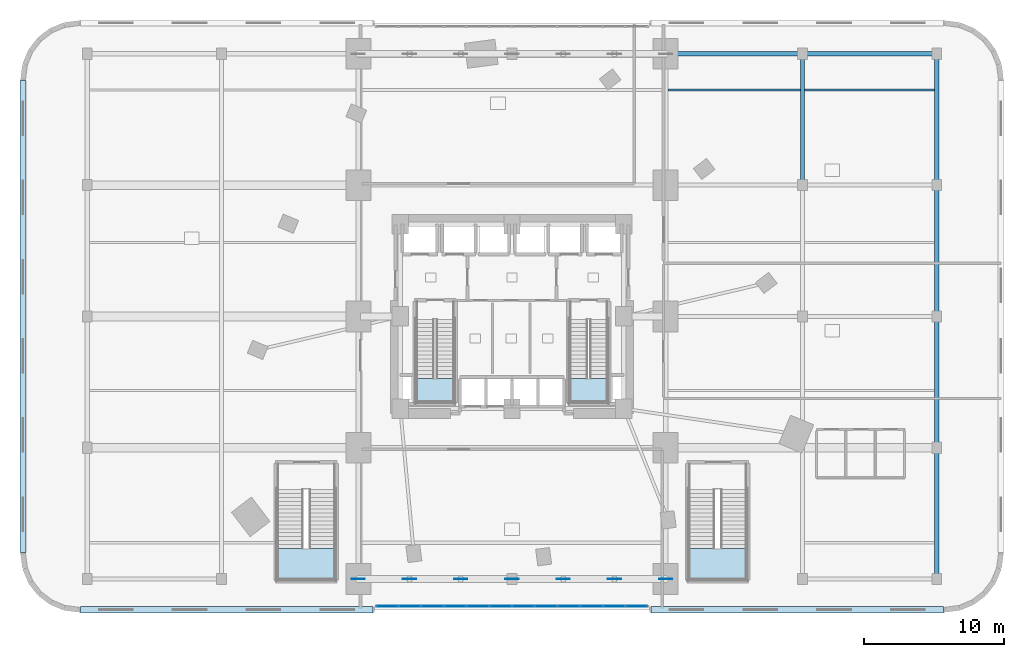
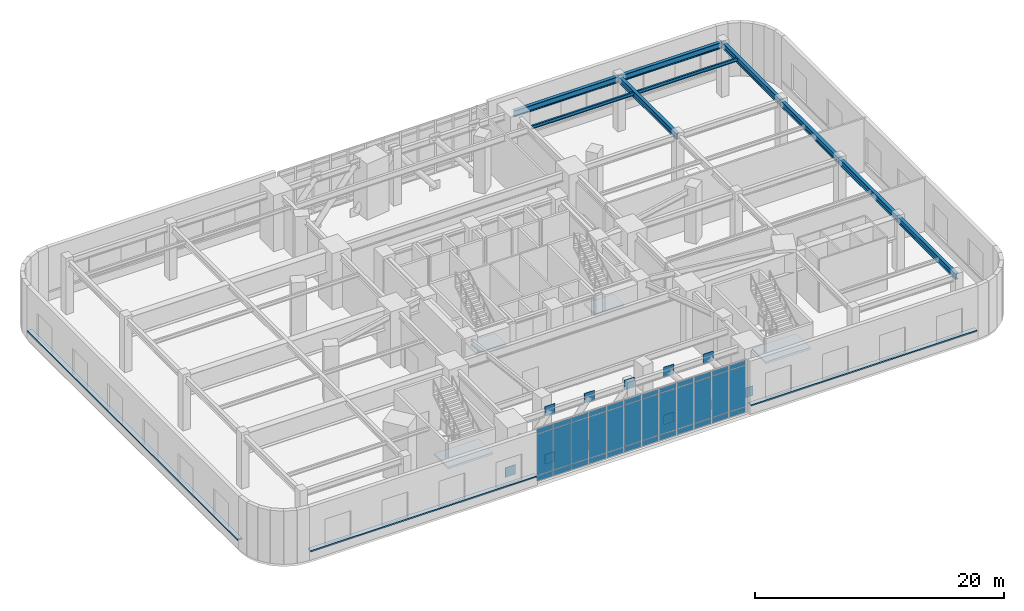
# One storey, part 11 of 19: 50 plates, 9 beams, 4 slabs, 5 elements without a shape of their own.
"""IFC4 building model written with IfcOpenShell, lengths in metres."""

from ifc_helpers import new_model, si_unit, direction, frame, origin, origin_2d, place, context, subcontext, project, spatial, polyline, rectangle, i_section, outline, extrude, material, layer, layer_set, material_profile, profile_set, type_object, element, aggregate, save


model = new_model("IFC4")

# Units and contexts
model_context = context("Model", 3, precision=1e-05, world=origin(), true_north=direction((0.0, 1.0)))
body_context = subcontext(model_context, "Body", "Model", "MODEL_VIEW")
ifc_project = project(units=[si_unit("LENGTHUNIT", "METRE"), si_unit("AREAUNIT", "SQUARE_METRE"), si_unit("VOLUMEUNIT", "CUBIC_METRE"), si_unit("PLANEANGLEUNIT", "RADIAN"), si_unit("MASSUNIT", "GRAM", prefix="KILO")], contexts=[model_context])

# Site, building, storey
site_placement = place(None, origin())
site = spatial("IfcSite", under=ifc_project, at=site_placement, CompositionType="ELEMENT")
building_placement = place(site_placement, origin())
building = spatial("IfcBuilding", under=site, at=building_placement, Name="Ndelora Gate Hotel", CompositionType="ELEMENT")
storey_placement = place(building_placement, frame((0.0, 0.0, 16.0)))
storey = spatial("IfcBuildingStorey", under=building, at=storey_placement, Name="L03", CompositionType="ELEMENT", Elevation=16.0)

# Beams
ifc_material_1 = material(Name="Steel S355", Category="steel")
ifc_material_profile_1 = material_profile(ifc_material_1, i_section(OverallWidth=0.159912109375, OverallDepth=0.330078125, WebThickness=0.007568359375, FlangeThickness=0.011474609375, FilletRadius=0.01806640625, at=origin_2d()), Name="IPE 330")
ifc_profile_set_1 = profile_set([ifc_material_profile_1], Name="Steel S355")
beam_type_1 = type_object("IfcBeamType", Name="BM-JST-330", PredefinedType="JOIST", material=ifc_profile_set_1)
beam_1_placement = place(storey_placement, frame((11.14990234375, 16.199951171875, 5.054931640625), z_axis=(1.0, 0.0, 0.0), x_axis=(0.0, 1.0, 0.0)))
element("IfcBeam", 1, at=beam_1_placement, inside=storey, type_object=beam_type_1, Name="L03 Podium Composite Secondary Joist 4", PredefinedType="JOIST", context=body_context, shape_type="SweptSolid", body=[
    extrude(i_section(OverallWidth=0.159912109375, OverallDepth=0.330078125, WebThickness=0.007568359375, FlangeThickness=0.011474609375, FilletRadius=0.01806640625, at=origin_2d()), origin(), (0.0, 0.0, 1.0), 9.5),
])
beam_2_placement = place(storey_placement, frame((20.949951171875, 16.199951171875, 5.054931640625), z_axis=(1.0, 0.0, 0.0), x_axis=(0.0, 1.0, 0.0)))
element("IfcBeam", 2, at=beam_2_placement, inside=storey, type_object=beam_type_1, Name="L03 Podium Composite Secondary Joist 5", PredefinedType="JOIST", context=body_context, shape_type="SweptSolid", body=[
    extrude(i_section(OverallWidth=0.159912109375, OverallDepth=0.330078125, WebThickness=0.007568359375, FlangeThickness=0.011474609375, FilletRadius=0.01806640625, at=origin_2d()), origin(), (0.0, 0.0, 1.0), 9.300048828125),
])
ifc_material_profile_2 = material_profile(ifc_material_1, i_section(OverallWidth=0.300048828125, OverallDepth=0.60009765625, WebThickness=0.015380859375, FlangeThickness=0.030029296875, FilletRadius=0.027099609375, at=origin_2d()), Name="HEB 600")
ifc_profile_set_2 = profile_set([ifc_material_profile_2], Name="Steel S355")
beam_type_2 = type_object("IfcBeamType", Name="BM-POD-600", PredefinedType="BEAM", material=ifc_profile_set_2)
for number, where, z_axis, x_axis, name in (
    (3, (20.800048828125, 9.39990234375, 4.919921875), (0.0, 1.0, 0.0), (-1.0, 0.0, 0.0), "L03 Podium Longitudinal Girder X=+20.8"),
    (4, (30.39990234375, -18.800048828125, 4.919921875), (0.0, 1.0, 0.0), (-1.0, 0.0, 0.0), "L03 Podium Longitudinal Girder X=+30.4"),
):
    element("IfcBeam", number, at=place(storey_placement, frame(where, z_axis=z_axis, x_axis=x_axis)), inside=storey, type_object=beam_type_2, Name=name, PredefinedType="BEAM", context=body_context, shape_type="SweptSolid", body=[
        extrude(i_section(OverallWidth=0.300048828125, OverallDepth=0.60009765625, WebThickness=0.015380859375, FlangeThickness=0.030029296875, FilletRadius=0.027099609375, at=origin_2d()), origin(), (0.0, 0.0, 1.0), 9.400146484375),
    ])
for number, where, z_axis, x_axis, name in (
    (5, (30.39990234375, -9.39990234375, 4.919921875), (0.0, 1.0, 0.0), (-1.0, 0.0, 0.0), "L03 Podium Longitudinal Girder X=+30.4"),
    (6, (30.39990234375, 0.0, 4.919921875), (0.0, 1.0, 0.0), (-1.0, 0.0, 0.0), "L03 Podium Longitudinal Girder X=+30.4"),
):
    element("IfcBeam", number, at=place(storey_placement, frame(where, z_axis=z_axis, x_axis=x_axis)), inside=storey, type_object=beam_type_2, Name=name, PredefinedType="BEAM", context=body_context, shape_type="SweptSolid", body=[
        extrude(i_section(OverallWidth=0.300048828125, OverallDepth=0.60009765625, WebThickness=0.015380859375, FlangeThickness=0.030029296875, FilletRadius=0.027099609375, at=origin_2d()), origin(), (0.0, 0.0, 1.0), 9.39990234375),
    ])
beam_3_placement = place(storey_placement, frame((30.39990234375, 9.39990234375, 4.919921875), z_axis=(0.0, 1.0, 0.0), x_axis=(-1.0, 0.0, 0.0)))
element("IfcBeam", 7, at=beam_3_placement, inside=storey, type_object=beam_type_2, Name="L03 Podium Longitudinal Girder X=+30.4", PredefinedType="BEAM", context=body_context, shape_type="SweptSolid", body=[
    extrude(i_section(OverallWidth=0.300048828125, OverallDepth=0.60009765625, WebThickness=0.015380859375, FlangeThickness=0.030029296875, FilletRadius=0.027099609375, at=origin_2d()), origin(), (0.0, 0.0, 1.0), 9.400146484375),
])
beam_4_placement = place(storey_placement, frame((11.0, 18.800048828125, 4.919921875), z_axis=(1.0, 0.0, 0.0), x_axis=(0.0, 1.0, 0.0)))
element("IfcBeam", 8, at=beam_4_placement, inside=storey, type_object=beam_type_2, Name="L03 Podium Transverse Girder Y=+18.8", PredefinedType="BEAM", context=body_context, shape_type="SweptSolid", body=[
    extrude(i_section(OverallWidth=0.300048828125, OverallDepth=0.60009765625, WebThickness=0.015380859375, FlangeThickness=0.030029296875, FilletRadius=0.027099609375, at=origin_2d()), origin(), (0.0, 0.0, 1.0), 9.800048828125),
])
beam_5_placement = place(storey_placement, frame((20.800048828125, 18.800048828125, 4.919921875), z_axis=(1.0, 0.0, 0.0), x_axis=(0.0, 1.0, 0.0)))
element("IfcBeam", 9, at=beam_5_placement, inside=storey, type_object=beam_type_2, Name="L03 Podium Transverse Girder Y=+18.8", PredefinedType="BEAM", context=body_context, shape_type="SweptSolid", body=[
    extrude(i_section(OverallWidth=0.300048828125, OverallDepth=0.60009765625, WebThickness=0.015380859375, FlangeThickness=0.030029296875, FilletRadius=0.027099609375, at=origin_2d()), origin(), (0.0, 0.0, 1.0), 9.599853515625),
])

# Curtain wall, plates
ifc_material_2 = material(Name="Bronze Anodised Unitised Aluminium and Low-E Glass", Category="aluminium")
ifc_layer_1 = layer(ifc_material_2, 0.219970703125)
ifc_layer_set_1 = layer_set([ifc_layer_1], Name="Bronze Anodised Unitised Aluminium and Low-E Glass")
curtain_wall_type = type_object("IfcCurtainWallType", Name="CW-SYS-2", PredefinedType="NOTDEFINED", material=ifc_layer_set_1)
curtain_wall_placement = place(storey_placement, origin())
curtain_wall = element("IfcCurtainWall", 10, at=curtain_wall_placement, inside=storey, type_object=curtain_wall_type, Name="L03 South Podium Foyer Curtain Wall CW2", PredefinedType="NOTDEFINED")
ifc_material_3 = material(Name="Solar-Control Low-E Insulated Glazing", Category="glass")
ifc_layer_2 = layer(ifc_material_3, 0.048095703125)
ifc_layer_set_2 = layer_set([ifc_layer_2], Name="Solar-Control Low-E Insulated Glazing")
plate_type_1 = type_object("IfcPlateType", Name="PL-CW-GLZ36", PredefinedType="CURTAIN_PANEL", material=ifc_layer_set_2)
plate_1_placement = place(storey_placement, frame((-8.919921875, -20.75, 0.05908203125), z_axis=(0.0, 0.0, 1.0), x_axis=(1.0, 0.0, 0.0)))
plate_1 = element("IfcPlate", 11, at=plate_1_placement, type_object=plate_type_1, Name="CW2 panel 1.1", PredefinedType="CURTAIN_PANEL", context=body_context, shape_type="SweptSolid", body=[
    extrude(rectangle(XDim=1.531982421875, YDim=0.048095703125, at=origin_2d()), origin(), (0.0, 0.0, 1.0), 0.514404296875),
])
plate_2_placement = place(storey_placement, frame((-8.919921875, -20.75, 0.62646484375), z_axis=(0.0, 0.0, 1.0), x_axis=(1.0, 0.0, 0.0)))
plate_2 = element("IfcPlate", 12, at=plate_2_placement, type_object=plate_type_1, Name="CW2 panel 1.2", PredefinedType="CURTAIN_PANEL", context=body_context, shape_type="SweptSolid", body=[
    extrude(rectangle(XDim=1.531982421875, YDim=0.048095703125, at=origin_2d()), origin(), (0.0, 0.0, 1.0), 4.01708984375),
])
plate_3_placement = place(storey_placement, frame((-8.919921875, -20.75, 4.6962890625), z_axis=(0.0, 0.0, 1.0), x_axis=(1.0, 0.0, 0.0)))
plate_3 = element("IfcPlate", 13, at=plate_3_placement, type_object=plate_type_1, Name="CW2 panel 1.3", PredefinedType="CURTAIN_PANEL", context=body_context, shape_type="SweptSolid", body=[
    extrude(rectangle(XDim=1.531982421875, YDim=0.048095703125, at=origin_2d()), origin(), (0.0, 0.0, 1.0), 0.464599609375),
])
plate_4_placement = place(storey_placement, frame((-7.3125, -20.75, 0.05908203125), z_axis=(0.0, 0.0, 1.0), x_axis=(1.0, 0.0, 0.0)))
plate_4 = element("IfcPlate", 14, at=plate_4_placement, type_object=plate_type_1, Name="CW2 panel 2.1", PredefinedType="CURTAIN_PANEL", context=body_context, shape_type="SweptSolid", body=[
    extrude(rectangle(XDim=1.56689453125, YDim=0.048095703125, at=origin_2d()), origin(), (0.0, 0.0, 1.0), 0.514404296875),
])
plate_5_placement = place(storey_placement, frame((-7.3125, -20.75, 0.62646484375), z_axis=(0.0, 0.0, 1.0), x_axis=(1.0, 0.0, 0.0)))
plate_5 = element("IfcPlate", 15, at=plate_5_placement, type_object=plate_type_1, Name="CW2 panel 2.2", PredefinedType="CURTAIN_PANEL", context=body_context, shape_type="SweptSolid", body=[
    extrude(rectangle(XDim=1.56689453125, YDim=0.048095703125, at=origin_2d()), origin(), (0.0, 0.0, 1.0), 4.01708984375),
])
plate_6_placement = place(storey_placement, frame((-7.3125, -20.75, 4.6962890625), z_axis=(0.0, 0.0, 1.0), x_axis=(1.0, 0.0, 0.0)))
plate_6 = element("IfcPlate", 16, at=plate_6_placement, type_object=plate_type_1, Name="CW2 panel 2.3", PredefinedType="CURTAIN_PANEL", context=body_context, shape_type="SweptSolid", body=[
    extrude(rectangle(XDim=1.56689453125, YDim=0.048095703125, at=origin_2d()), origin(), (0.0, 0.0, 1.0), 0.464599609375),
])
plate_7_placement = place(storey_placement, frame((-5.6875, -20.75, 0.05908203125), z_axis=(0.0, 0.0, 1.0), x_axis=(1.0, 0.0, 0.0)))
plate_7 = element("IfcPlate", 17, at=plate_7_placement, type_object=plate_type_1, Name="CW2 panel 3.1", PredefinedType="CURTAIN_PANEL", context=body_context, shape_type="SweptSolid", body=[
    extrude(rectangle(XDim=1.56689453125, YDim=0.048095703125, at=origin_2d()), origin(), (0.0, 0.0, 1.0), 0.514404296875),
])
plate_8_placement = place(storey_placement, frame((-5.6875, -20.75, 0.62646484375), z_axis=(0.0, 0.0, 1.0), x_axis=(1.0, 0.0, 0.0)))
plate_8 = element("IfcPlate", 18, at=plate_8_placement, type_object=plate_type_1, Name="CW2 panel 3.2", PredefinedType="CURTAIN_PANEL", context=body_context, shape_type="SweptSolid", body=[
    extrude(rectangle(XDim=1.56689453125, YDim=0.048095703125, at=origin_2d()), origin(), (0.0, 0.0, 1.0), 4.01708984375),
])
plate_9_placement = place(storey_placement, frame((-5.6875, -20.75, 4.6962890625), z_axis=(0.0, 0.0, 1.0), x_axis=(1.0, 0.0, 0.0)))
plate_9 = element("IfcPlate", 19, at=plate_9_placement, type_object=plate_type_1, Name="CW2 panel 3.3", PredefinedType="CURTAIN_PANEL", context=body_context, shape_type="SweptSolid", body=[
    extrude(rectangle(XDim=1.56689453125, YDim=0.048095703125, at=origin_2d()), origin(), (0.0, 0.0, 1.0), 0.464599609375),
])
plate_10_placement = place(storey_placement, frame((-4.0625, -20.75, 0.05908203125), z_axis=(0.0, 0.0, 1.0), x_axis=(1.0, 0.0, 0.0)))
plate_10 = element("IfcPlate", 20, at=plate_10_placement, type_object=plate_type_1, Name="CW2 panel 4.1", PredefinedType="CURTAIN_PANEL", context=body_context, shape_type="SweptSolid", body=[
    extrude(rectangle(XDim=1.56689453125, YDim=0.048095703125, at=origin_2d()), origin(), (0.0, 0.0, 1.0), 0.514404296875),
])
plate_11_placement = place(storey_placement, frame((-4.0625, -20.75, 0.62646484375), z_axis=(0.0, 0.0, 1.0), x_axis=(1.0, 0.0, 0.0)))
plate_11 = element("IfcPlate", 21, at=plate_11_placement, type_object=plate_type_1, Name="CW2 panel 4.2", PredefinedType="CURTAIN_PANEL", context=body_context, shape_type="SweptSolid", body=[
    extrude(rectangle(XDim=1.56689453125, YDim=0.048095703125, at=origin_2d()), origin(), (0.0, 0.0, 1.0), 4.01708984375),
])
plate_12_placement = place(storey_placement, frame((-4.0625, -20.75, 4.6962890625), z_axis=(0.0, 0.0, 1.0), x_axis=(1.0, 0.0, 0.0)))
plate_12 = element("IfcPlate", 22, at=plate_12_placement, type_object=plate_type_1, Name="CW2 panel 4.3", PredefinedType="CURTAIN_PANEL", context=body_context, shape_type="SweptSolid", body=[
    extrude(rectangle(XDim=1.56689453125, YDim=0.048095703125, at=origin_2d()), origin(), (0.0, 0.0, 1.0), 0.464599609375),
])
plate_13_placement = place(storey_placement, frame((-2.4375, -20.75, 0.05908203125), z_axis=(0.0, 0.0, 1.0), x_axis=(1.0, 0.0, 0.0)))
plate_13 = element("IfcPlate", 23, at=plate_13_placement, type_object=plate_type_1, Name="CW2 panel 5.1", PredefinedType="CURTAIN_PANEL", context=body_context, shape_type="SweptSolid", body=[
    extrude(rectangle(XDim=1.56689453125, YDim=0.048095703125, at=origin_2d()), origin(), (0.0, 0.0, 1.0), 0.514404296875),
])
plate_14_placement = place(storey_placement, frame((-2.4375, -20.75, 0.62646484375), z_axis=(0.0, 0.0, 1.0), x_axis=(1.0, 0.0, 0.0)))
plate_14 = element("IfcPlate", 24, at=plate_14_placement, type_object=plate_type_1, Name="CW2 panel 5.2", PredefinedType="CURTAIN_PANEL", context=body_context, shape_type="SweptSolid", body=[
    extrude(rectangle(XDim=1.56689453125, YDim=0.048095703125, at=origin_2d()), origin(), (0.0, 0.0, 1.0), 4.01708984375),
])
plate_15_placement = place(storey_placement, frame((-2.4375, -20.75, 4.6962890625), z_axis=(0.0, 0.0, 1.0), x_axis=(1.0, 0.0, 0.0)))
plate_15 = element("IfcPlate", 25, at=plate_15_placement, type_object=plate_type_1, Name="CW2 panel 5.3", PredefinedType="CURTAIN_PANEL", context=body_context, shape_type="SweptSolid", body=[
    extrude(rectangle(XDim=1.56689453125, YDim=0.048095703125, at=origin_2d()), origin(), (0.0, 0.0, 1.0), 0.464599609375),
])
plate_16_placement = place(storey_placement, frame((-0.8125, -20.75, 0.05908203125), z_axis=(0.0, 0.0, 1.0), x_axis=(1.0, 0.0, 0.0)))
plate_16 = element("IfcPlate", 26, at=plate_16_placement, type_object=plate_type_1, Name="CW2 panel 6.1", PredefinedType="CURTAIN_PANEL", context=body_context, shape_type="SweptSolid", body=[
    extrude(rectangle(XDim=1.56689453125, YDim=0.048095703125, at=origin_2d()), origin(), (0.0, 0.0, 1.0), 0.514404296875),
])
plate_17_placement = place(storey_placement, frame((-0.8125, -20.75, 0.62646484375), z_axis=(0.0, 0.0, 1.0), x_axis=(1.0, 0.0, 0.0)))
plate_17 = element("IfcPlate", 27, at=plate_17_placement, type_object=plate_type_1, Name="CW2 panel 6.2", PredefinedType="CURTAIN_PANEL", context=body_context, shape_type="SweptSolid", body=[
    extrude(rectangle(XDim=1.56689453125, YDim=0.048095703125, at=origin_2d()), origin(), (0.0, 0.0, 1.0), 4.01708984375),
])
plate_18_placement = place(storey_placement, frame((-0.8125, -20.75, 4.6962890625), z_axis=(0.0, 0.0, 1.0), x_axis=(1.0, 0.0, 0.0)))
plate_18 = element("IfcPlate", 28, at=plate_18_placement, type_object=plate_type_1, Name="CW2 panel 6.3", PredefinedType="CURTAIN_PANEL", context=body_context, shape_type="SweptSolid", body=[
    extrude(rectangle(XDim=1.56689453125, YDim=0.048095703125, at=origin_2d()), origin(), (0.0, 0.0, 1.0), 0.464599609375),
])
plate_19_placement = place(storey_placement, frame((0.8125, -20.75, 0.05908203125), z_axis=(0.0, 0.0, 1.0), x_axis=(1.0, 0.0, 0.0)))
plate_19 = element("IfcPlate", 29, at=plate_19_placement, type_object=plate_type_1, Name="CW2 panel 7.1", PredefinedType="CURTAIN_PANEL", context=body_context, shape_type="SweptSolid", body=[
    extrude(rectangle(XDim=1.56689453125, YDim=0.048095703125, at=origin_2d()), origin(), (0.0, 0.0, 1.0), 0.514404296875),
])
plate_20_placement = place(storey_placement, frame((0.8125, -20.75, 0.62646484375), z_axis=(0.0, 0.0, 1.0), x_axis=(1.0, 0.0, 0.0)))
plate_20 = element("IfcPlate", 30, at=plate_20_placement, type_object=plate_type_1, Name="CW2 panel 7.2", PredefinedType="CURTAIN_PANEL", context=body_context, shape_type="SweptSolid", body=[
    extrude(rectangle(XDim=1.56689453125, YDim=0.048095703125, at=origin_2d()), origin(), (0.0, 0.0, 1.0), 4.01708984375),
])
plate_21_placement = place(storey_placement, frame((0.8125, -20.75, 4.6962890625), z_axis=(0.0, 0.0, 1.0), x_axis=(1.0, 0.0, 0.0)))
plate_21 = element("IfcPlate", 31, at=plate_21_placement, type_object=plate_type_1, Name="CW2 panel 7.3", PredefinedType="CURTAIN_PANEL", context=body_context, shape_type="SweptSolid", body=[
    extrude(rectangle(XDim=1.56689453125, YDim=0.048095703125, at=origin_2d()), origin(), (0.0, 0.0, 1.0), 0.464599609375),
])
plate_22_placement = place(storey_placement, frame((2.4375, -20.75, 0.05908203125), z_axis=(0.0, 0.0, 1.0), x_axis=(1.0, 0.0, 0.0)))
plate_22 = element("IfcPlate", 32, at=plate_22_placement, type_object=plate_type_1, Name="CW2 panel 8.1", PredefinedType="CURTAIN_PANEL", context=body_context, shape_type="SweptSolid", body=[
    extrude(rectangle(XDim=1.56689453125, YDim=0.048095703125, at=origin_2d()), origin(), (0.0, 0.0, 1.0), 0.514404296875),
])
plate_23_placement = place(storey_placement, frame((2.4375, -20.75, 0.62646484375), z_axis=(0.0, 0.0, 1.0), x_axis=(1.0, 0.0, 0.0)))
plate_23 = element("IfcPlate", 33, at=plate_23_placement, type_object=plate_type_1, Name="CW2 panel 8.2", PredefinedType="CURTAIN_PANEL", context=body_context, shape_type="SweptSolid", body=[
    extrude(rectangle(XDim=1.56689453125, YDim=0.048095703125, at=origin_2d()), origin(), (0.0, 0.0, 1.0), 4.01708984375),
])
plate_24_placement = place(storey_placement, frame((2.4375, -20.75, 4.6962890625), z_axis=(0.0, 0.0, 1.0), x_axis=(1.0, 0.0, 0.0)))
plate_24 = element("IfcPlate", 34, at=plate_24_placement, type_object=plate_type_1, Name="CW2 panel 8.3", PredefinedType="CURTAIN_PANEL", context=body_context, shape_type="SweptSolid", body=[
    extrude(rectangle(XDim=1.56689453125, YDim=0.048095703125, at=origin_2d()), origin(), (0.0, 0.0, 1.0), 0.464599609375),
])
plate_25_placement = place(storey_placement, frame((4.0625, -20.75, 0.05908203125), z_axis=(0.0, 0.0, 1.0), x_axis=(1.0, 0.0, 0.0)))
plate_25 = element("IfcPlate", 35, at=plate_25_placement, type_object=plate_type_1, Name="CW2 panel 9.1", PredefinedType="CURTAIN_PANEL", context=body_context, shape_type="SweptSolid", body=[
    extrude(rectangle(XDim=1.56689453125, YDim=0.048095703125, at=origin_2d()), origin(), (0.0, 0.0, 1.0), 0.514404296875),
])
plate_26_placement = place(storey_placement, frame((4.0625, -20.75, 0.62646484375), z_axis=(0.0, 0.0, 1.0), x_axis=(1.0, 0.0, 0.0)))
plate_26 = element("IfcPlate", 36, at=plate_26_placement, type_object=plate_type_1, Name="CW2 panel 9.2", PredefinedType="CURTAIN_PANEL", context=body_context, shape_type="SweptSolid", body=[
    extrude(rectangle(XDim=1.56689453125, YDim=0.048095703125, at=origin_2d()), origin(), (0.0, 0.0, 1.0), 4.01708984375),
])
plate_27_placement = place(storey_placement, frame((4.0625, -20.75, 4.6962890625), z_axis=(0.0, 0.0, 1.0), x_axis=(1.0, 0.0, 0.0)))
plate_27 = element("IfcPlate", 37, at=plate_27_placement, type_object=plate_type_1, Name="CW2 panel 9.3", PredefinedType="CURTAIN_PANEL", context=body_context, shape_type="SweptSolid", body=[
    extrude(rectangle(XDim=1.56689453125, YDim=0.048095703125, at=origin_2d()), origin(), (0.0, 0.0, 1.0), 0.464599609375),
])
plate_28_placement = place(storey_placement, frame((5.6875, -20.75, 0.05908203125), z_axis=(0.0, 0.0, 1.0), x_axis=(1.0, 0.0, 0.0)))
plate_28 = element("IfcPlate", 38, at=plate_28_placement, type_object=plate_type_1, Name="CW2 panel 10.1", PredefinedType="CURTAIN_PANEL", context=body_context, shape_type="SweptSolid", body=[
    extrude(rectangle(XDim=1.56689453125, YDim=0.048095703125, at=origin_2d()), origin(), (0.0, 0.0, 1.0), 0.514404296875),
])
plate_29_placement = place(storey_placement, frame((5.6875, -20.75, 0.62646484375), z_axis=(0.0, 0.0, 1.0), x_axis=(1.0, 0.0, 0.0)))
plate_29 = element("IfcPlate", 39, at=plate_29_placement, type_object=plate_type_1, Name="CW2 panel 10.2", PredefinedType="CURTAIN_PANEL", context=body_context, shape_type="SweptSolid", body=[
    extrude(rectangle(XDim=1.56689453125, YDim=0.048095703125, at=origin_2d()), origin(), (0.0, 0.0, 1.0), 4.01708984375),
])
plate_30_placement = place(storey_placement, frame((5.6875, -20.75, 4.6962890625), z_axis=(0.0, 0.0, 1.0), x_axis=(1.0, 0.0, 0.0)))
plate_30 = element("IfcPlate", 40, at=plate_30_placement, type_object=plate_type_1, Name="CW2 panel 10.3", PredefinedType="CURTAIN_PANEL", context=body_context, shape_type="SweptSolid", body=[
    extrude(rectangle(XDim=1.56689453125, YDim=0.048095703125, at=origin_2d()), origin(), (0.0, 0.0, 1.0), 0.464599609375),
])
plate_31_placement = place(storey_placement, frame((7.3125, -20.75, 0.05908203125), z_axis=(0.0, 0.0, 1.0), x_axis=(1.0, 0.0, 0.0)))
plate_31 = element("IfcPlate", 41, at=plate_31_placement, type_object=plate_type_1, Name="CW2 panel 11.1", PredefinedType="CURTAIN_PANEL", context=body_context, shape_type="SweptSolid", body=[
    extrude(rectangle(XDim=1.56689453125, YDim=0.048095703125, at=origin_2d()), origin(), (0.0, 0.0, 1.0), 0.514404296875),
])
plate_32_placement = place(storey_placement, frame((7.3125, -20.75, 0.62646484375), z_axis=(0.0, 0.0, 1.0), x_axis=(1.0, 0.0, 0.0)))
plate_32 = element("IfcPlate", 42, at=plate_32_placement, type_object=plate_type_1, Name="CW2 panel 11.2", PredefinedType="CURTAIN_PANEL", context=body_context, shape_type="SweptSolid", body=[
    extrude(rectangle(XDim=1.56689453125, YDim=0.048095703125, at=origin_2d()), origin(), (0.0, 0.0, 1.0), 4.01708984375),
])
plate_33_placement = place(storey_placement, frame((7.3125, -20.75, 4.6962890625), z_axis=(0.0, 0.0, 1.0), x_axis=(1.0, 0.0, 0.0)))
plate_33 = element("IfcPlate", 43, at=plate_33_placement, type_object=plate_type_1, Name="CW2 panel 11.3", PredefinedType="CURTAIN_PANEL", context=body_context, shape_type="SweptSolid", body=[
    extrude(rectangle(XDim=1.56689453125, YDim=0.048095703125, at=origin_2d()), origin(), (0.0, 0.0, 1.0), 0.464599609375),
])
plate_34_placement = place(storey_placement, frame((8.919921875, -20.75, 0.05908203125), z_axis=(0.0, 0.0, 1.0), x_axis=(1.0, 0.0, 0.0)))
plate_34 = element("IfcPlate", 44, at=plate_34_placement, type_object=plate_type_1, Name="CW2 panel 12.1", PredefinedType="CURTAIN_PANEL", context=body_context, shape_type="SweptSolid", body=[
    extrude(rectangle(XDim=1.531982421875, YDim=0.048095703125, at=origin_2d()), origin(), (0.0, 0.0, 1.0), 0.514404296875),
])
plate_35_placement = place(storey_placement, frame((8.919921875, -20.75, 0.62646484375), z_axis=(0.0, 0.0, 1.0), x_axis=(1.0, 0.0, 0.0)))
plate_35 = element("IfcPlate", 45, at=plate_35_placement, type_object=plate_type_1, Name="CW2 panel 12.2", PredefinedType="CURTAIN_PANEL", context=body_context, shape_type="SweptSolid", body=[
    extrude(rectangle(XDim=1.531982421875, YDim=0.048095703125, at=origin_2d()), origin(), (0.0, 0.0, 1.0), 4.01708984375),
])
plate_36_placement = place(storey_placement, frame((8.919921875, -20.75, 4.6962890625), z_axis=(0.0, 0.0, 1.0), x_axis=(1.0, 0.0, 0.0)))
plate_36 = element("IfcPlate", 46, at=plate_36_placement, type_object=plate_type_1, Name="CW2 panel 12.3", PredefinedType="CURTAIN_PANEL", context=body_context, shape_type="SweptSolid", body=[
    extrude(rectangle(XDim=1.531982421875, YDim=0.048095703125, at=origin_2d()), origin(), (0.0, 0.0, 1.0), 0.464599609375),
])
aggregate(curtain_wall, [plate_1, plate_2, plate_3, plate_4, plate_5, plate_6, plate_7, plate_8, plate_9, plate_10, plate_11, plate_12, plate_13, plate_14, plate_15, plate_16, plate_17, plate_18, plate_19, plate_20, plate_21, plate_22, plate_23, plate_24, plate_25, plate_26, plate_27, plate_28, plate_29, plate_30, plate_31, plate_32, plate_33, plate_34, plate_35, plate_36])

# Plates
ifc_material_4 = material(Name="Steel S460", Category="steel")
ifc_layer_3 = layer(ifc_material_4, 0.0400390625)
ifc_layer_set_3 = layer_set([ifc_layer_3], Name="Steel S460")
plate_type_2 = type_object("IfcPlateType", Name="PL-NODE-TN1", PredefinedType="USERDEFINED", material=ifc_layer_set_3)
for number, where, z_axis, x_axis, name in (
    (47, (-11.0, -18.800048828125, -0.125), (0.0, 0.0, 1.0), (1.0, 0.0, 0.0), "Node gusset cap plate TN1"),
    (48, (-7.333251953125, -18.800048828125, 4.5751953125), (0.0, 0.0, 1.0), (1.0, 0.0, 0.0), "Node gusset cap plate TN1"),
    (49, (-7.333251953125, -18.800048828125, -0.125), (0.0, 0.0, 1.0), (1.0, 0.0, 0.0), "Node gusset cap plate TN1"),
    (50, (-3.666748046875, -18.800048828125, 4.5751953125), (0.0, 0.0, 1.0), (1.0, 0.0, 0.0), "Node gusset cap plate TN1"),
    (51, (-3.666748046875, -18.800048828125, -0.125), (0.0, 0.0, 1.0), (1.0, 0.0, 0.0), "Node gusset cap plate TN1"),
    (52, (0.0, -18.800048828125, 4.5751953125), (0.0, 0.0, 1.0), (1.0, 0.0, 0.0), "Node gusset cap plate TN1"),
    (53, (3.666748046875, -18.800048828125, -0.125), (0.0, 0.0, 1.0), (1.0, 0.0, 0.0), "Node gusset cap plate TN1"),
    (54, (3.666748046875, -18.800048828125, 4.5751953125), (0.0, 0.0, 1.0), (1.0, 0.0, 0.0), "Node gusset cap plate TN1"),
    (55, (7.333251953125, -18.800048828125, -0.125), (0.0, 0.0, 1.0), (1.0, 0.0, 0.0), "Node gusset cap plate TN1"),
    (56, (7.333251953125, -18.800048828125, 4.5751953125), (0.0, 0.0, 1.0), (1.0, 0.0, 0.0), "Node gusset cap plate TN1"),
    (57, (11.0, -18.800048828125, -0.125), (0.0, 0.0, 1.0), (1.0, 0.0, 0.0), "Node gusset cap plate TN1"),
):
    element("IfcPlate", number, at=place(storey_placement, frame(where, z_axis=z_axis, x_axis=x_axis)), inside=storey, type_object=plate_type_2, Name=name, ObjectType="GUSSET_PLATE", PredefinedType="USERDEFINED", context=body_context, shape_type="SweptSolid", body=[
        extrude(rectangle(XDim=0.949951171875, YDim=0.0400390625, at=origin_2d()), origin(), (0.0, 0.0, 1.0), 0.949951171875),
    ])
ifc_material_5 = material(Name="Precast concrete C40/50", Category="concrete")
ifc_layer_4 = layer(ifc_material_5, 0.125)
ifc_layer_set_4 = layer_set([ifc_layer_4], Name="Precast concrete C40/50")
plate_type_3 = type_object("IfcPlateType", Name="PL-SILL-120", PredefinedType="USERDEFINED", material=ifc_layer_set_4)
plate_37_placement = place(storey_placement, frame((-35.0, 0.0, 0.8173828125), z_axis=(0.0, 0.0, 1.0), x_axis=(0.0, 1.0, 0.0)))
element("IfcPlate", 58, at=plate_37_placement, inside=storey, type_object=plate_type_3, Name="L03 Precast Concrete Ribbon Sill Band 22", ObjectType="RIBBON_SILL", PredefinedType="USERDEFINED", context=body_context, shape_type="SweptSolid", body=[
    extrude(rectangle(XDim=33.800048828125, YDim=0.43994140625, at=origin_2d()), origin(), (0.0, 0.0, 1.0), 0.125),
])
for number, where, z_axis, x_axis, name in (
    (59, (-20.425048828125, -21.0, 0.8173828125), (0.0, 0.0, 1.0), (1.0, 0.0, 0.0), "L03 Precast Concrete Ribbon Sill Band 29"),
    (60, (20.425048828125, -21.0, 0.8173828125), (0.0, 0.0, 1.0), (1.0, 0.0, 0.0), "L03 Precast Concrete Ribbon Sill Band 30"),
):
    element("IfcPlate", number, at=place(storey_placement, frame(where, z_axis=z_axis, x_axis=x_axis)), inside=storey, type_object=plate_type_3, Name=name, ObjectType="RIBBON_SILL", PredefinedType="USERDEFINED", context=body_context, shape_type="SweptSolid", body=[
        extrude(rectangle(XDim=20.949951171875, YDim=0.43994140625, at=origin_2d()), origin(), (0.0, 0.0, 1.0), 0.125),
    ])

# Stair, slab
stair_type_1 = type_object("IfcStairType", Name="STR-DOG-CORE", PredefinedType="HALF_TURN_STAIR", material=ifc_material_5)
stair_1_placement = place(storey_placement, origin())
stair_1 = element("IfcStair", 61, at=stair_1_placement, inside=storey, type_object=stair_type_1, Name="L03 Protected Core Exit Stair ST4", PredefinedType="HALF_TURN_STAIR")
ifc_layer_5 = layer(ifc_material_5, 0.219970703125)
ifc_layer_set_5 = layer_set([ifc_layer_5], Name="Precast concrete C40/50")
slab_type = type_object("IfcSlabType", Name="SL-LAND-220", PredefinedType="LANDING", material=ifc_layer_set_5)
slab_1_placement = place(storey_placement, frame((0.0, 0.0, 2.550048828125)))
slab_1 = element("IfcSlab", 62, at=slab_1_placement, type_object=slab_type, Name="ST4 landing 1", PredefinedType="LANDING", context=body_context, shape_type="SweptSolid", body=[
    extrude(outline(polyline([(-6.85009765625, -4.429931640625), (-6.85009765625, -6.14990234375), (-4.1298828125, -6.14990234375), (-4.1298828125, -4.429931640625), (-6.85009765625, -4.429931640625)])), origin(), (0.0, 0.0, 1.0), 0.199951171875),
])
aggregate(stair_1, [slab_1])

stair_2_placement = place(storey_placement, origin())
stair_2 = element("IfcStair", 63, at=stair_2_placement, inside=storey, type_object=stair_type_1, Name="L03 Protected Core Exit Stair ST5", PredefinedType="HALF_TURN_STAIR")
slab_2_placement = place(storey_placement, frame((0.0, 0.0, 2.550048828125)))
slab_2 = element("IfcSlab", 64, at=slab_2_placement, type_object=slab_type, Name="ST5 landing 1", PredefinedType="LANDING", context=body_context, shape_type="SweptSolid", body=[
    extrude(outline(polyline([(4.1298828125, -4.429931640625), (4.1298828125, -6.14990234375), (6.85009765625, -6.14990234375), (6.85009765625, -4.429931640625), (4.1298828125, -4.429931640625)])), origin(), (0.0, 0.0, 1.0), 0.199951171875),
])
aggregate(stair_2, [slab_2])

stair_type_2 = type_object("IfcStairType", Name="STR-DOG-POD", PredefinedType="HALF_TURN_STAIR", material=ifc_material_5)
stair_3_placement = place(storey_placement, origin())
stair_3 = element("IfcStair", 65, at=stair_3_placement, inside=storey, type_object=stair_type_2, Name="L03 Podium Ballroom Exit Stair ST3A", PredefinedType="HALF_TURN_STAIR")
slab_3_placement = place(storey_placement, frame((0.0, 0.0, 2.550048828125)))
slab_3 = element("IfcSlab", 66, at=slab_3_placement, type_object=slab_type, Name="ST3A landing 1", PredefinedType="LANDING", context=body_context, shape_type="SweptSolid", body=[
    extrude(outline(polyline([(-16.800048828125, -16.60009765625), (-16.800048828125, -18.85009765625), (-12.659912109375, -18.85009765625), (-12.659912109375, -16.60009765625), (-16.800048828125, -16.60009765625)])), origin(), (0.0, 0.0, 1.0), 0.199951171875),
])
aggregate(stair_3, [slab_3])

stair_4_placement = place(storey_placement, origin())
stair_4 = element("IfcStair", 67, at=stair_4_placement, inside=storey, type_object=stair_type_2, Name="L03 Podium Conference Exit Stair ST3B", PredefinedType="HALF_TURN_STAIR")
slab_4_placement = place(storey_placement, frame((0.0, 0.0, 2.550048828125)))
slab_4 = element("IfcSlab", 68, at=slab_4_placement, type_object=slab_type, Name="ST3B landing 1", PredefinedType="LANDING", context=body_context, shape_type="SweptSolid", body=[
    extrude(outline(polyline([(12.659912109375, -16.60009765625), (12.659912109375, -18.85009765625), (16.800048828125, -18.85009765625), (16.800048828125, -16.60009765625), (12.659912109375, -16.60009765625)])), origin(), (0.0, 0.0, 1.0), 0.199951171875),
])
aggregate(stair_4, [slab_4])

save(model, "model.ifc")
